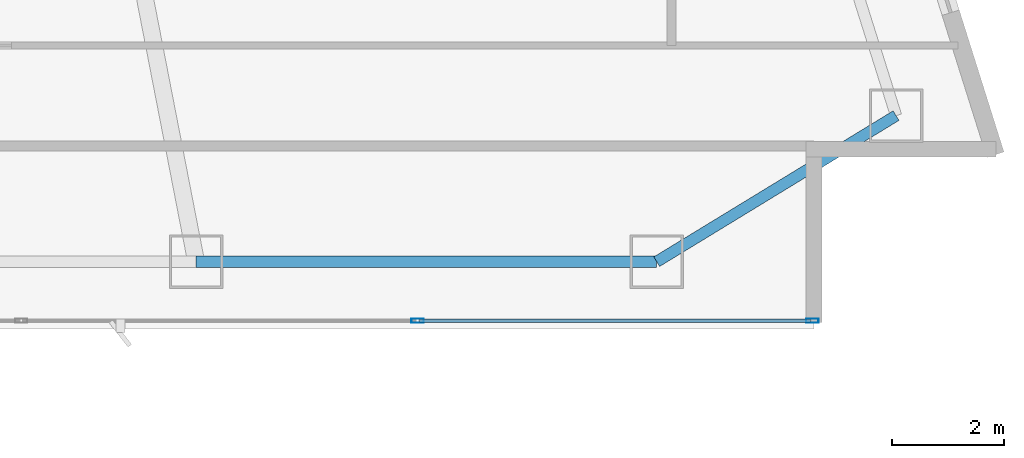
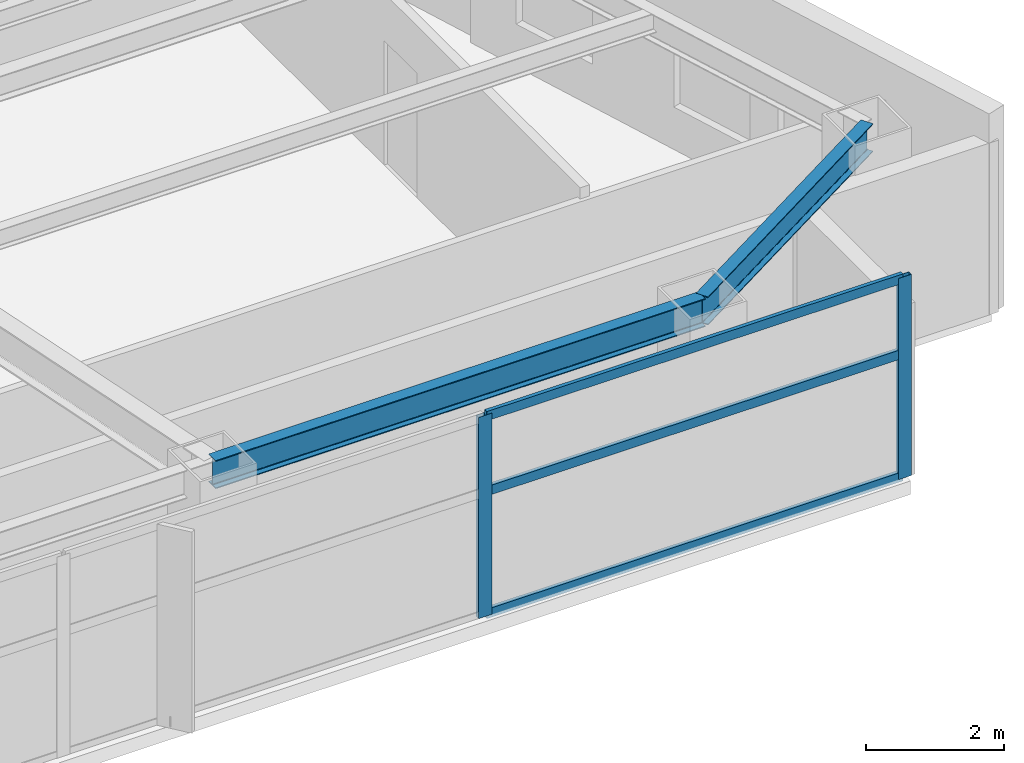
# One storey, part 14 of 29: 5 members, 2 beams, 1 element without a shape of its own.
"""IFC4 building model written with IfcOpenShell, lengths in metres."""

import ifcopenshell
import ifcopenshell.guid

model = None  # the IFC model being written
_history = None  # IfcOwnerHistory: only IFC2X3 demands one
_inside = {}  # id of a spatial element -> (the spatial element, [elements in it])
_under = {}  # id of a project, library or spatial element -> (it, [spatial elements below it])
_declared = {}  # id of a project -> (the project, [libraries it declares])
_typed = {}  # id of a type object -> (the type object, [elements of that type])
_made_of = {}  # id of a material, layer set ... -> (it, [elements and type objects made of it])


def new_model(schema):
    """Start an empty IFC model of exactly this schema.

    Asked for "IFC4X3", IfcOpenShell would pick the latest addendum, in which some entities
    have other attributes; the version numbers below select the first issue.
    IFC2X3 requires an IfcOwnerHistory on every rooted entity: one is made here for all.
    """
    global model, _history
    if schema == "IFC4X3":
        model = ifcopenshell.file(schema_version=(4, 3, 0, 0))
    else:
        model = ifcopenshell.file(schema=schema)
    _inside.clear()
    _under.clear()
    _declared.clear()
    _typed.clear()
    _made_of.clear()
    _history = None
    if model.schema == "IFC2X3":
        org = make("IfcOrganization", Name="unknown")
        user = make(
            "IfcPersonAndOrganization",
            ThePerson=make("IfcPerson", FamilyName="unknown"),
            TheOrganization=org,
        )
        app = make(
            "IfcApplication",
            ApplicationDeveloper=org,
            Version="unknown",
            ApplicationFullName="unknown",
            ApplicationIdentifier="unknown",
        )
        _history = make(
            "IfcOwnerHistory",
            OwningUser=user,
            OwningApplication=app,
            ChangeAction="ADDED",
            CreationDate=0,
        )
    return model


def make(cls, **values):
    """One entity of the class cls with the attributes given. An attribute that is None is left unset."""
    return model.create_entity(
        cls, **{name: value for name, value in values.items() if value is not None}
    )


def rooted(cls, **values):
    """An entity with a GlobalId (a new one), such as an element, a storey or a relation."""
    return make(cls, GlobalId=ifcopenshell.guid.new(), OwnerHistory=_history, **values)


def si_unit(unit_type, name, prefix=None):
    """IfcSIUnit, for example si_unit("LENGTHUNIT", "METRE", prefix="MILLI")."""
    return make("IfcSIUnit", UnitType=unit_type, Prefix=prefix, Name=name)


def assignment(units):
    """IfcUnitAssignment: the units of a project."""
    return None if units is None else make("IfcUnitAssignment", Units=units)


def point(xyz):
    """IfcCartesianPoint."""
    return None if xyz is None else make("IfcCartesianPoint", Coordinates=xyz)


def direction(xyz):
    """IfcDirection."""
    return None if xyz is None else make("IfcDirection", DirectionRatios=xyz)


def frame(location, z_axis=None, x_axis=None):
    """IfcAxis2Placement3D, a coordinate frame: its origin and axes. An axis left out is left unset."""
    return make(
        "IfcAxis2Placement3D",
        Location=point(location),
        Axis=direction(z_axis),
        RefDirection=direction(x_axis),
    )


def frame_2d(location, x_axis=None):
    """IfcAxis2Placement2D, a coordinate frame in the plane: its origin and x axis."""
    return make(
        "IfcAxis2Placement2D", Location=point(location), RefDirection=direction(x_axis)
    )


def origin():
    """The frame at (0, 0, 0) with its axes left unset."""
    return frame((0.0, 0.0, 0.0))


def origin_2d():
    """The frame at (0, 0) in the plane with its x axis left unset."""
    return frame_2d((0.0, 0.0))


def place(relative_to, where):
    """IfcLocalPlacement: puts the frame where relative to a parent placement (None: the world)."""
    return make(
        "IfcLocalPlacement", PlacementRelTo=relative_to, RelativePlacement=where
    )


def context(
    kind, dimensions, precision=None, world=None, true_north=None, identifier=None
):
    """IfcGeometricRepresentationContext, for example the 3D "Model" context."""
    return make(
        "IfcGeometricRepresentationContext",
        ContextIdentifier=identifier,
        ContextType=kind,
        CoordinateSpaceDimension=dimensions,
        Precision=precision,
        WorldCoordinateSystem=world,
        TrueNorth=true_north,
    )


def subcontext(parent, identifier, kind, view, scale=None):
    """IfcGeometricRepresentationSubContext, for example "Body" below "Model"."""
    return make(
        "IfcGeometricRepresentationSubContext",
        ContextIdentifier=identifier,
        ContextType=kind,
        ParentContext=parent,
        TargetScale=scale,
        TargetView=view,
    )


def project(units=None, contexts=None):
    """IfcProject with its units and contexts."""
    return rooted(
        "IfcProject",
        Name="project",
        RepresentationContexts=contexts,
        UnitsInContext=assignment(units),
    )


def spatial(cls, under=None, at=None, **own):
    """A site, building, storey or space (cls), placed at a placement, below another one or the project."""
    s = rooted(cls, ObjectPlacement=at, **own)
    if under is not None:
        _under.setdefault(under.id(), (under, []))[1].append(s)
    return s


def profile(cls, at=None, kind="AREA", **sizes):
    """A parametric profile (cls). Its sizes go by their IFC names, for example OverallWidth=200.0."""
    return make(cls, ProfileType=kind, Position=at, **sizes)


def hollow_rectangle(**sizes):
    """IfcRectangleHollowProfileDef."""
    return profile("IfcRectangleHollowProfileDef", **sizes)


def i_section(**sizes):
    """IfcIShapeProfileDef."""
    return profile("IfcIShapeProfileDef", **sizes)


def extrude(swept, where, along, depth):
    """IfcExtrudedAreaSolid: the profile swept, set in the frame where, extruded along a direction by depth."""
    return make(
        "IfcExtrudedAreaSolid",
        SweptArea=swept,
        Position=where,
        ExtrudedDirection=direction(along),
        Depth=depth,
    )


def shape(context_of_items, identifier, shape_type, items):
    """IfcShapeRepresentation: the items that make up one representation, for example the "Body"."""
    return make(
        "IfcShapeRepresentation",
        ContextOfItems=context_of_items,
        RepresentationIdentifier=identifier,
        RepresentationType=shape_type,
        Items=items,
    )


def material(Name=None, Category=None):
    """IfcMaterial."""
    return make("IfcMaterial", Name=Name, Category=Category)


def layer(
    of_material, thickness, ventilated=None, Name=None, Category=None, Priority=None
):
    """IfcMaterialLayer: one layer of a wall or slab, of a material (None: an air gap)."""
    return make(
        "IfcMaterialLayer",
        Material=of_material,
        LayerThickness=thickness,
        IsVentilated=ventilated,
        Name=Name,
        Category=Category,
        Priority=Priority,
    )


def layer_set(layers, Name=None):
    """IfcMaterialLayerSet."""
    return make("IfcMaterialLayerSet", MaterialLayers=layers, LayerSetName=Name)


def material_profile(
    of_material, cross_section, Name=None, Category=None, Priority=None
):
    """IfcMaterialProfile: a cross section and its material."""
    return make(
        "IfcMaterialProfile",
        Name=Name,
        Material=of_material,
        Profile=cross_section,
        Priority=Priority,
        Category=Category,
    )


def profile_set(profiles, Name=None, composite=None):
    """IfcMaterialProfileSet."""
    return make(
        "IfcMaterialProfileSet",
        Name=Name,
        MaterialProfiles=profiles,
        CompositeProfile=composite,
    )


def made_of(thing, what):
    """Note that an element or type object is made of a material, layer set ...; save() writes the relation."""
    if what is not None:
        _made_of.setdefault(what.id(), (what, []))[1].append(thing)
    return thing


def type_object(cls, material=None, **own):
    """A type object (cls), such as IfcWallType, which elements share."""
    return made_of(rooted(cls, **own), material)


def element(
    cls,
    number,
    at=None,
    inside=None,
    cuts=None,
    type_object=None,
    material=None,
    context=None,
    identifier="Body",
    shape_type=None,
    held_by="IfcProductDefinitionShape",
    body=None,
    shapes=None,
    **own,
):
    """One element of the class cls, such as IfcWall. Its Tag is "e" and its number.

    at: its placement. inside: the storey or other place that contains it. cuts: it is an
    opening in that element (IfcRelVoidsElement). A single representation is given by context,
    identifier, shape_type and body (its items); several are given by shapes. held_by: the class
    of the entity that holds the representations. save() writes the other relations.
    """
    e = rooted(cls, Tag="e%d" % number, ObjectPlacement=at, **own)
    if body is not None:
        shapes = [shape(context, identifier, shape_type, body)]
    if shapes is not None:
        e.Representation = make(held_by, Representations=shapes)
    if inside is not None:
        _inside.setdefault(inside.id(), (inside, []))[1].append(e)
    if cuts is not None:
        rooted(
            "IfcRelVoidsElement", RelatingBuildingElement=cuts, RelatedOpeningElement=e
        )
    if type_object is not None:
        _typed.setdefault(type_object.id(), (type_object, []))[1].append(e)
    return made_of(e, material)


def aggregate(whole, parts):
    """IfcRelAggregates: a whole, such as a stair, and the parts it consists of."""
    return rooted("IfcRelAggregates", RelatingObject=whole, RelatedObjects=parts)


def save(model, path):
    """Write the relations noted so far, then the file.

    IfcRelAggregates (storeys below a building ...), IfcRelContainedInSpatialStructure (elements
    in a storey), IfcRelDefinesByType, IfcRelAssociatesMaterial and IfcRelDeclares: one each for
    every whole, place, type object, material and project.
    """
    for whole, parts in _under.values():
        aggregate(whole, parts)
    for where, things in _inside.values():
        rooted(
            "IfcRelContainedInSpatialStructure",
            RelatedElements=things,
            RelatingStructure=where,
        )
    for kind, things in _typed.values():
        rooted("IfcRelDefinesByType", RelatedObjects=things, RelatingType=kind)
    for what, things in _made_of.values():
        rooted("IfcRelAssociatesMaterial", RelatedObjects=things, RelatingMaterial=what)
    for by, libraries in _declared.values():
        rooted("IfcRelDeclares", RelatingContext=by, RelatedDefinitions=libraries)
    model.write(path)


model = new_model("IFC4")

# Units and contexts
model_context = context("Model", 3, precision=1e-05, world=origin(), true_north=direction((0.0, 1.0)))
body_context = subcontext(model_context, "Body", "Model", "MODEL_VIEW")
ifc_project = project(units=[si_unit("LENGTHUNIT", "METRE"), si_unit("AREAUNIT", "SQUARE_METRE"), si_unit("VOLUMEUNIT", "CUBIC_METRE"), si_unit("PLANEANGLEUNIT", "RADIAN"), si_unit("MASSUNIT", "GRAM", prefix="KILO")], contexts=[model_context])

# Site, building, storey
site_placement = place(None, origin())
site = spatial("IfcSite", under=ifc_project, at=site_placement, CompositionType="ELEMENT")
building_placement = place(site_placement, origin())
building = spatial("IfcBuilding", under=site, at=building_placement, Name="Calvorn Quay Hotel", CompositionType="ELEMENT")
storey_placement = place(building_placement, frame((0.0, 0.0, 58.39990234375)))
storey = spatial("IfcBuildingStorey", under=building, at=storey_placement, Name="L13", CompositionType="ELEMENT", Elevation=58.39990234375)

# Beams
ifc_material_1 = material(Name="Steel Q355B", Category="steel")
ifc_material_profile_1 = material_profile(ifc_material_1, i_section(OverallWidth=0.199951171875, OverallDepth=0.5, WebThickness=0.010009765625, FlangeThickness=0.01611328125, FilletRadius=0.01611328125, at=origin_2d()), Name="HN500x200x10x16")
ifc_profile_set_1 = profile_set([ifc_material_profile_1], Name="Steel Q355B")
beam_type = type_object("IfcBeamType", Name="BM-SPANDREL-Z1", PredefinedType="SPANDREL", material=ifc_profile_set_1)
beam_1_placement = place(storey_placement, frame((49.39990234375, 3.60009765625, 3.2900390625), z_axis=(1.0, 0.0, 0.0), x_axis=(0.0, 1.0, 0.0)))
element("IfcBeam", 1, at=beam_1_placement, inside=storey, type_object=beam_type, Name="Beam BSP-L13-S6", PredefinedType="SPANDREL", context=body_context, shape_type="SweptSolid", body=[
    extrude(i_section(OverallWidth=0.199951171875, OverallDepth=0.5, WebThickness=0.010009765625, FlangeThickness=0.01611328125, FilletRadius=0.01611328125, at=origin_2d()), origin(), (0.0, 0.0, 1.0), 8.2001953125),
])
beam_2_placement = place(storey_placement, frame((57.60009765625, 3.60009765625, 3.2900390625), z_axis=(0.853645546466, 0.520854376, 0.0), x_axis=(-0.520854376, 0.853645546466, 0.0)))
element("IfcBeam", 2, at=beam_2_placement, inside=storey, type_object=beam_type, Name="Beam BSP-L13-S7", PredefinedType="SPANDREL", context=body_context, shape_type="SweptSolid", body=[
    extrude(i_section(OverallWidth=0.199951171875, OverallDepth=0.5, WebThickness=0.010009765625, FlangeThickness=0.01611328125, FilletRadius=0.01611328125, at=origin_2d()), origin(), (0.0, 0.0, 1.0), 4.991455078125),
])

# Curtain wall, members
ifc_material_2 = material(Name="Pale Anodised Aluminium and Low-E Glass", Category="aluminium")
ifc_layer = layer(ifc_material_2, 0.219970703125)
ifc_layer_set = layer_set([ifc_layer], Name="CW-SYS-Z1")
curtain_wall_type = type_object("IfcCurtainWallType", Name="CW-SYS-Z1", PredefinedType="NOTDEFINED", material=ifc_layer_set)
curtain_wall_placement = place(storey_placement, origin())
curtain_wall = element("IfcCurtainWall", 3, at=curtain_wall_placement, inside=storey, type_object=curtain_wall_type, Name="Tower South Waterfront Curtain Wall (L13)", PredefinedType="NOTDEFINED")
ifc_material_3 = material(Name="Pale Anodised Aluminium 6063-T6", Category="aluminium")
ifc_material_profile_2 = material_profile(ifc_material_3, hollow_rectangle(XDim=0.074951171875, YDim=0.219970703125, WallThickness=0.00439453125, at=origin_2d()), Name="ALU-M220x75x4.5")
ifc_profile_set_2 = profile_set([ifc_material_profile_2], Name="Pale Anodised Aluminium 6063-T6")
member_type_1 = type_object("IfcMemberType", Name="CW-SYS-Z1-MUL", PredefinedType="MULLION", material=ifc_profile_set_2)
member_1_placement = place(storey_placement, frame((53.3427734375, 2.550048828125, 0.0), z_axis=(0.0, 0.0, 1.0), x_axis=(0.0, 1.0, 0.0)))
member_1 = element("IfcMember", 4, at=member_1_placement, type_object=member_type_1, Name="CW-L13-S mullion 7", PredefinedType="MULLION", context=body_context, shape_type="SweptSolid", body=[
    extrude(hollow_rectangle(XDim=0.074951171875, YDim=0.219970703125, WallThickness=0.00439453125, at=origin_2d()), origin(), (0.0, 0.0, 1.0), 3.56005859375),
])
member_2_placement = place(storey_placement, frame((60.3701171875, 2.550048828125, 0.0), z_axis=(0.0, 0.0, 1.0), x_axis=(0.0, 1.0, 0.0)))
member_2 = element("IfcMember", 5, at=member_2_placement, type_object=member_type_1, Name="CW-L13-S mullion 8", PredefinedType="MULLION", context=body_context, shape_type="SweptSolid", body=[
    extrude(hollow_rectangle(XDim=0.074951171875, YDim=0.219970703125, WallThickness=0.00439453125, at=origin_2d()), origin(), (0.0, 0.0, 1.0), 3.56005859375),
])
ifc_material_4 = material(Name="Pale Anodised Aluminium 6063-T6", Category="aluminium")
ifc_material_profile_3 = material_profile(ifc_material_4, hollow_rectangle(XDim=0.06494140625, YDim=0.1650390625, WallThickness=0.00341796875, at=origin_2d()), Name="ALU-T165x65x3.5")
ifc_profile_set_3 = profile_set([ifc_material_profile_3], Name="Pale Anodised Aluminium 6063-T6")
member_type_2 = type_object("IfcMemberType", Name="CW-SYS-Z1-TRN", PredefinedType="USERDEFINED", material=ifc_profile_set_3)
member_3_placement = place(storey_placement, frame((53.372802734375, 2.550048828125, 0.030029296875), z_axis=(1.0, 0.0, 0.0), x_axis=(0.0, 1.0, 0.0)))
member_3 = element("IfcMember", 6, at=member_3_placement, type_object=member_type_2, Name="CW-L13-S transom 7.1", ObjectType="TRANSOM", PredefinedType="USERDEFINED", context=body_context, shape_type="SweptSolid", body=[
    extrude(hollow_rectangle(XDim=0.06494140625, YDim=0.1650390625, WallThickness=0.00341796875, at=origin_2d()), origin(), (0.0, 0.0, 1.0), 6.96728515625),
])
member_4_placement = place(storey_placement, frame((53.372802734375, 2.550048828125, 2.2001953125), z_axis=(1.0, 0.0, 0.0), x_axis=(0.0, 1.0, 0.0)))
member_4 = element("IfcMember", 7, at=member_4_placement, type_object=member_type_2, Name="CW-L13-S transom 7.2", ObjectType="TRANSOM", PredefinedType="USERDEFINED", context=body_context, shape_type="SweptSolid", body=[
    extrude(hollow_rectangle(XDim=0.06494140625, YDim=0.1650390625, WallThickness=0.00341796875, at=origin_2d()), origin(), (0.0, 0.0, 1.0), 6.96728515625),
])
member_5_placement = place(storey_placement, frame((53.372802734375, 2.550048828125, 3.530029296875), z_axis=(1.0, 0.0, 0.0), x_axis=(0.0, 1.0, 0.0)))
member_5 = element("IfcMember", 8, at=member_5_placement, type_object=member_type_2, Name="CW-L13-S transom 7.3", ObjectType="TRANSOM", PredefinedType="USERDEFINED", context=body_context, shape_type="SweptSolid", body=[
    extrude(hollow_rectangle(XDim=0.06494140625, YDim=0.1650390625, WallThickness=0.00341796875, at=origin_2d()), origin(), (0.0, 0.0, 1.0), 6.96728515625),
])
aggregate(curtain_wall, [member_1, member_2, member_3, member_4, member_5])

save(model, "model.ifc")
